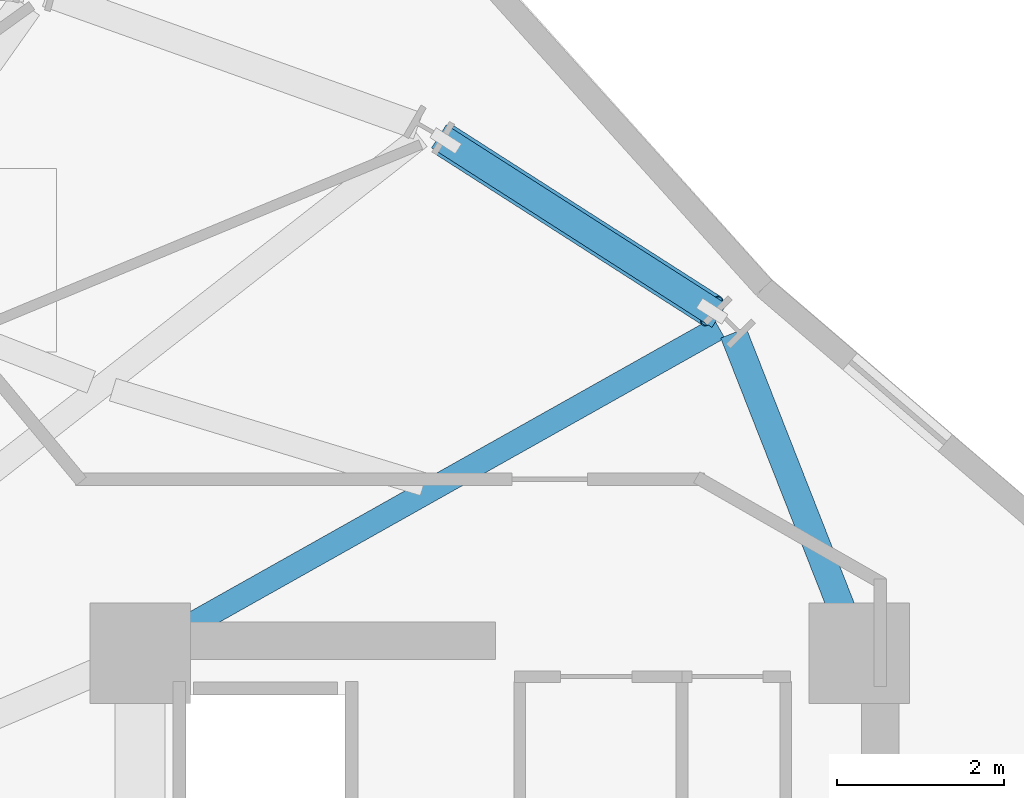
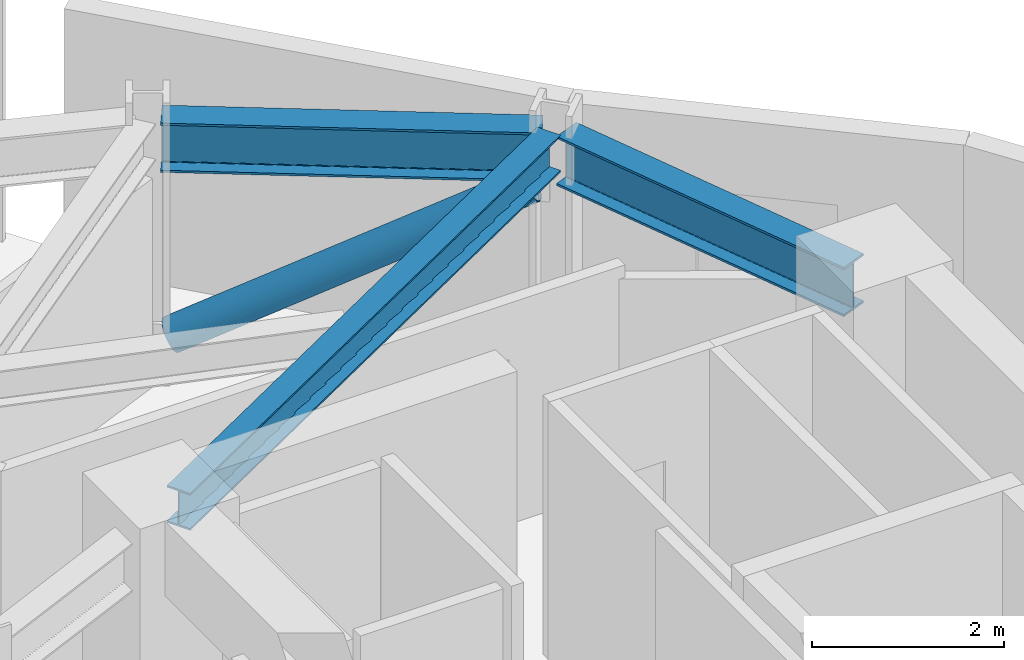
# One storey, part 12 of 24: 3 beams, 1 member.
"""IFC4 building model written with IfcOpenShell, lengths in metres."""

from ifc_helpers import new_model, si_unit, direction, frame, origin, origin_2d, place, context, subcontext, project, spatial, hollow_circle, i_section, extrude, material, material_profile, profile_set, type_object, element, save


model = new_model("IFC4")

# Units and contexts
model_context = context("Model", 3, precision=1e-05, world=origin(), true_north=direction((0.0, 1.0)))
body_context = subcontext(model_context, "Body", "Model", "MODEL_VIEW")
ifc_project = project(units=[si_unit("LENGTHUNIT", "METRE"), si_unit("AREAUNIT", "SQUARE_METRE"), si_unit("VOLUMEUNIT", "CUBIC_METRE"), si_unit("PLANEANGLEUNIT", "RADIAN"), si_unit("MASSUNIT", "GRAM", prefix="KILO")], contexts=[model_context])

# Site, building, storey
site_placement = place(None, origin())
site = spatial("IfcSite", under=ifc_project, at=site_placement, CompositionType="ELEMENT")
building_placement = place(site_placement, origin())
building = spatial("IfcBuilding", under=site, at=building_placement, Name="Solvane Sanctuary Tower", CompositionType="ELEMENT")
storey_placement = place(building_placement, frame((0.0, 0.0, 246.0)))
storey = spatial("IfcBuildingStorey", under=building, at=storey_placement, Name="L75", CompositionType="ELEMENT", Elevation=246.0)

# Beams
ifc_material = material(Name="Steel ASTM A992 Grade 50", Category="steel")
ifc_material_profile_1 = material_profile(ifc_material, i_section(OverallWidth=0.282958984375, OverallDepth=0.471923828125, WebThickness=0.013671875, FlangeThickness=0.022216796875, FilletRadius=0.013916015625, at=origin_2d()), Name="W18X97")
ifc_profile_set_1 = profile_set([ifc_material_profile_1], Name="Steel ASTM A992 Grade 50")
beam_type_1 = type_object("IfcBeamType", Name="Beam B-RAD-Z4 W18X97", PredefinedType="JOIST", material=ifc_profile_set_1)
beam_1_placement = place(storey_placement, frame((40.413818359375, 30.37646484375, 3.08203125), z_axis=(0.87176037811, 0.489932488367, 0.0), x_axis=(-0.489932488367, 0.87176037811, 0.0)))
element("IfcBeam", 1, at=beam_1_placement, inside=storey, type_object=beam_type_1, Name="L75 Radial Composite Floor Beam 01", PredefinedType="JOIST", context=body_context, shape_type="SweptSolid", body=[
    extrude(i_section(OverallWidth=0.282958984375, OverallDepth=0.471923828125, WebThickness=0.013671875, FlangeThickness=0.022216796875, FilletRadius=0.013916015625, at=origin_2d()), origin(), (0.0, 0.0, 1.0), 7.581298828125),
])
ifc_material_profile_2 = material_profile(ifc_material, i_section(OverallWidth=0.327880859375, OverallDepth=0.6279296875, WebThickness=0.0166015625, FlangeThickness=0.027587890625, FilletRadius=0.01611328125, at=origin_2d()), Name="W24X146")
ifc_profile_set_2 = profile_set([ifc_material_profile_2], Name="Steel ASTM A992 Grade 50")
beam_type_2 = type_object("IfcBeamType", Name="Beam B-SPAND-Z3 W24X146", PredefinedType="SPANDREL", material=ifc_profile_set_2)
beam_2_placement = place(storey_placement, frame((43.673095703125, 36.381591796875, 3.00390625), z_axis=(0.842252471835, -0.539083271571, 0.0), x_axis=(0.539083271571, 0.842252471835, 0.0)))
element("IfcBeam", 2, at=beam_2_placement, inside=storey, type_object=beam_type_2, Name="L75 Perimeter Spandrel Beam TC02-TC01", PredefinedType="SPANDREL", context=body_context, shape_type="SweptSolid", body=[
    extrude(i_section(OverallWidth=0.327880859375, OverallDepth=0.6279296875, WebThickness=0.0166015625, FlangeThickness=0.027587890625, FilletRadius=0.01611328125, at=origin_2d()), origin(), (0.0, 0.0, 1.0), 3.982177734375),
])
beam_3_placement = place(storey_placement, frame((47.196044921875, 34.029052734375, 3.00390625), z_axis=(0.365597204344, -0.930773164727, 0.0), x_axis=(0.930773164727, 0.365597204344, 0.0)))
element("IfcBeam", 3, at=beam_3_placement, inside=storey, type_object=beam_type_2, Name="L75 Perimeter Spandrel Beam TC01-CE3", PredefinedType="SPANDREL", context=body_context, shape_type="SweptSolid", body=[
    extrude(i_section(OverallWidth=0.327880859375, OverallDepth=0.6279296875, WebThickness=0.0166015625, FlangeThickness=0.027587890625, FilletRadius=0.01611328125, at=origin_2d()), origin(), (0.0, 0.0, 1.0), 3.833740234375),
])

# Member
ifc_material_profile_3 = material_profile(ifc_material, hollow_circle(Radius=0.202880859375, WallThickness=0.012451171875, at=origin_2d()), Name="CHS406X12.5")
ifc_profile_set_3 = profile_set([ifc_material_profile_3], Name="Steel ASTM A992 Grade 50")
member_type = type_object("IfcMemberType", Name="Member M-TUBE-Z3 CHS406X12.5", PredefinedType="BRACE", material=ifc_profile_set_3)
member_placement = place(storey_placement, frame((43.758544921875, 36.326904296875, 0.510986328125), z_axis=(0.740496381553, -0.473965461824, 0.476468099567), x_axis=(0.539092247698, 0.842246726602, 0.0)))
element("IfcMember", 4, at=member_placement, inside=storey, type_object=member_type, Name="L75 Perimeter Braced-Tube Diagonal NE", PredefinedType="BRACE", context=body_context, shape_type="SweptSolid", body=[
    extrude(hollow_circle(Radius=0.202880859375, WallThickness=0.012451171875, at=origin_2d()), origin(), (0.0, 0.0, 1.0), 4.292236328125),
])

save(model, "model.ifc")
